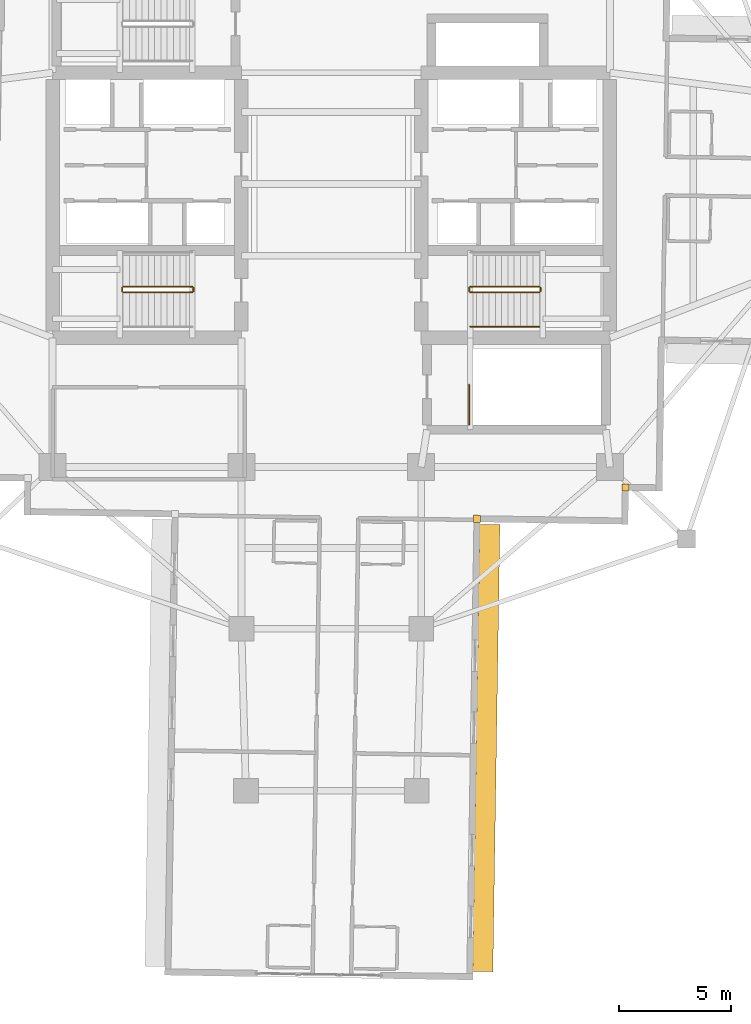
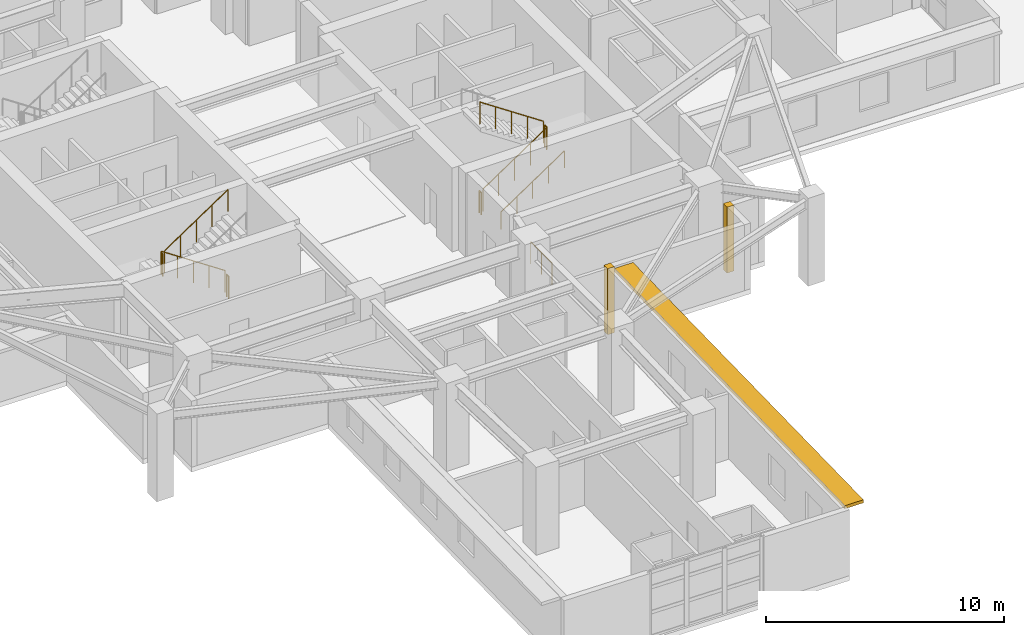
# One storey, part 19 of 22: 10 railings, 2 coverings, 1 shading device.
"""IFC4 building model written with IfcOpenShell, lengths in metres."""

from ifc_helpers import new_model, si_unit, direction, frame, origin, origin_2d, place, context, subcontext, project, spatial, rectangle, circle, extrude, material, layer, layer_set, type_object, element, save


model = new_model("IFC4")

# Units and contexts
model_context = context("Model", 3, precision=1e-05, world=origin(), true_north=direction((0.0, 1.0)))
body_context = subcontext(model_context, "Body", "Model", "MODEL_VIEW")
ifc_project = project(units=[si_unit("LENGTHUNIT", "METRE"), si_unit("AREAUNIT", "SQUARE_METRE"), si_unit("VOLUMEUNIT", "CUBIC_METRE"), si_unit("PLANEANGLEUNIT", "RADIAN"), si_unit("MASSUNIT", "GRAM", prefix="KILO")], contexts=[model_context])

# Site, building, storey
site_placement = place(None, origin())
site = spatial("IfcSite", under=ifc_project, at=site_placement, CompositionType="ELEMENT")
building_placement = place(site_placement, origin())
building = spatial("IfcBuilding", under=site, at=building_placement, Name="Qingluan Cross Belvedere", CompositionType="ELEMENT")
storey_placement = place(building_placement, frame((0.0, 0.0, 100.199951171875)))
storey = spatial("IfcBuildingStorey", under=building, at=storey_placement, Name="L25", CompositionType="ELEMENT", Elevation=100.199951171875)

# Coverings
ifc_material_1 = material(Name="Precast concrete C45", Category="concrete")
ifc_layer_1 = layer(ifc_material_1, 0.1201171875, Name="ConcreteSpandrelCladding_120")
ifc_layer_set_1 = layer_set([ifc_layer_1], Name="Precast concrete C45")
covering_type = type_object("IfcCoveringType", Name="ConcreteSpandrelCladding_120", PredefinedType="CLADDING", material=ifc_layer_set_1)
for number, where, z_axis, x_axis, name in (
    (1, (13.089599609375, -13.50732421875, 0.0), (0.0, 0.0, 1.0), (0.999876632482, -0.015707317312, 0.0), "Corner closure L25-SE1"),
    (2, (6.48681640625, -14.90380859375, 0.0), (0.0, 0.0, 1.0), (0.999876632482, -0.015707317312, 0.0), "Corner closure L25-SE2"),
):
    element("IfcCovering", number, at=place(storey_placement, frame(where, z_axis=z_axis, x_axis=x_axis)), inside=storey, type_object=covering_type, Name=name, PredefinedType="CLADDING", context=body_context, shape_type="SweptSolid", body=[
        extrude(rectangle(XDim=0.320068359375, YDim=0.320068359375, at=origin_2d()), origin(), (0.0, 0.0, 1.0), 3.3798828125),
    ])

# Shading device
ifc_material_2 = material(Name="Precast concrete C45", Category="concrete")
ifc_layer_2 = layer(ifc_material_2, 0.159912109375, Name="ConcreteSunshadeBand_900")
ifc_layer_set_2 = layer_set([ifc_layer_2], Name="Precast concrete C45")
shading_device_type = type_object("IfcShadingDeviceType", Name="ConcreteSunshadeBand_900", PredefinedType="USERDEFINED", material=ifc_layer_set_2)
shading_device_placement = place(storey_placement, frame((6.896484375, -25.101318359375, 3.2001953125), z_axis=(0.0, 0.0, 1.0), x_axis=(0.015706483741, 0.999876645576, 0.0)))
element("IfcShadingDevice", 3, at=shading_device_placement, inside=storey, type_object=shading_device_type, Name="Concrete SUNSHADE L25-SB", ObjectType="SUNSHADE", PredefinedType="USERDEFINED", context=body_context, shape_type="SweptSolid", body=[
    extrude(rectangle(XDim=19.89990234375, YDim=0.89990234375, at=origin_2d()), origin(), (0.0, 0.0, 1.0), 0.159912109375),
])

# Railings
ifc_material_3 = material(Name="Brushed stainless steel tubular handrail", Category="steel")
railing_type_1 = type_object("IfcRailingType", Name="StairPitchHandrail_900", PredefinedType="HANDRAIL", material=ifc_material_3)
railing_1_placement = place(storey_placement, frame((6.179931640625, -6.35009765625, 0.1875)))
element("IfcRailing", 4, at=railing_1_placement, inside=storey, type_object=railing_type_1, Name="L25 ST2 stair handrail 1", PredefinedType="HANDRAIL", context=body_context, shape_type="SweptSolid", body=[
    extrude(circle(Radius=0.02392578125, at=origin_2d()), frame((0.0, 0.0, 0.8759765625), z_axis=(0.830913701846, 0.0, 0.55640131208), x_axis=(0.0, 1.0, 0.0)), (0.0, 0.0, 1.0), 3.706787109375),
    extrude(circle(Radius=0.02099609375, at=origin_2d()), origin(), (0.0, 0.0, 1.0), 0.851806640625),
    extrude(circle(Radius=0.02099609375, at=origin_2d()), frame((0.77001953125, 0.0, 0.515625)), (0.0, 0.0, 1.0), 0.851806640625),
    extrude(circle(Radius=0.02099609375, at=origin_2d()), frame((1.5400390625, 0.0, 1.03125)), (0.0, 0.0, 1.0), 0.851806640625),
    extrude(circle(Radius=0.02099609375, at=origin_2d()), frame((2.31005859375, 0.0, 1.546875)), (0.0, 0.0, 1.0), 0.851806640625),
    extrude(circle(Radius=0.02099609375, at=origin_2d()), frame((3.080078125, 0.0, 2.0625)), (0.0, 0.0, 1.0), 0.851806640625),
])
ifc_material_4 = material(Name="Painted steel stair well guard", Category="steel")
railing_type_2 = type_object("IfcRailingType", Name="StairWellGuard_1150", PredefinedType="BALUSTRADE", material=ifc_material_4)
railing_2_placement = place(storey_placement, frame((-6.179931640625, -4.570068359375, 0.1875)))
element("IfcRailing", 5, at=railing_2_placement, inside=storey, type_object=railing_type_2, Name="L25 ST1 stair guard 1", PredefinedType="BALUSTRADE", context=body_context, shape_type="SweptSolid", body=[
    extrude(circle(Radius=0.02392578125, at=origin_2d()), frame((0.0, 0.0, 1.1259765625), z_axis=(-0.830913701846, 0.0, 0.55640131208), x_axis=(0.0, -1.0, 0.0)), (0.0, 0.0, 1.0), 3.706787109375),
    extrude(circle(Radius=0.02099609375, at=origin_2d()), origin(), (0.0, 0.0, 1.0), 1.101806640625),
    extrude(circle(Radius=0.02099609375, at=origin_2d()), frame((-0.77001953125, 0.0, 0.515625)), (0.0, 0.0, 1.0), 1.101806640625),
    extrude(circle(Radius=0.02099609375, at=origin_2d()), frame((-1.5400390625, 0.0, 1.03125)), (0.0, 0.0, 1.0), 1.101806640625),
    extrude(circle(Radius=0.02099609375, at=origin_2d()), frame((-2.31005859375, 0.0, 1.546875)), (0.0, 0.0, 1.0), 1.101806640625),
    extrude(circle(Radius=0.02099609375, at=origin_2d()), frame((-3.080078125, 0.0, 2.0625)), (0.0, 0.0, 1.0), 1.101806640625),
])
railing_3_placement = place(storey_placement, frame((-9.31005859375, -4.6201171875, 2.25)))
element("IfcRailing", 6, at=railing_3_placement, inside=storey, type_object=railing_type_2, Name="L25 ST1 stair guard 2", PredefinedType="BALUSTRADE", context=body_context, shape_type="SweptSolid", body=[
    extrude(circle(Radius=0.02392578125, at=origin_2d()), frame((0.0, 0.0, 1.1259765625), z_axis=(0.0, -1.0, 0.0), x_axis=(1.0, 0.0, 0.0)), (0.0, 0.0, 1.0), 0.159912109375),
    extrude(circle(Radius=0.02099609375, at=origin_2d()), origin(), (0.0, 0.0, 1.0), 1.101806640625),
    extrude(circle(Radius=0.02099609375, at=origin_2d()), frame((0.0, -0.159912109375, 0.0)), (0.0, 0.0, 1.0), 1.101806640625),
])
railing_4_placement = place(storey_placement, frame((-9.260009765625, -4.830078125, 2.4375)))
element("IfcRailing", 7, at=railing_4_placement, inside=storey, type_object=railing_type_2, Name="L25 ST1 stair guard 3", PredefinedType="BALUSTRADE", context=body_context, shape_type="SweptSolid", body=[
    extrude(circle(Radius=0.02392578125, at=origin_2d()), frame((0.0, 0.0, 1.1259765625), z_axis=(0.830913701846, 0.0, 0.55640131208), x_axis=(0.0, 1.0, 0.0)), (0.0, 0.0, 1.0), 3.706787109375),
    extrude(circle(Radius=0.02099609375, at=origin_2d()), origin(), (0.0, 0.0, 1.0), 1.101806640625),
    extrude(circle(Radius=0.02099609375, at=origin_2d()), frame((0.77001953125, 0.0, 0.515625)), (0.0, 0.0, 1.0), 1.101806640625),
    extrude(circle(Radius=0.02099609375, at=origin_2d()), frame((1.5400390625, 0.0, 1.03125)), (0.0, 0.0, 1.0), 1.101806640625),
    extrude(circle(Radius=0.02099609375, at=origin_2d()), frame((2.31005859375, 0.0, 1.546875)), (0.0, 0.0, 1.0), 1.101806640625),
    extrude(circle(Radius=0.02099609375, at=origin_2d()), frame((3.080078125, 0.0, 2.0625)), (0.0, 0.0, 1.0), 1.101806640625),
])
railing_5_placement = place(storey_placement, frame((-6.1298828125, -4.6201171875, 0.0)))
element("IfcRailing", 8, at=railing_5_placement, inside=storey, type_object=railing_type_2, Name="L25 ST1 stair guard 4", PredefinedType="BALUSTRADE", context=body_context, shape_type="SweptSolid", body=[
    extrude(circle(Radius=0.02392578125, at=origin_2d()), frame((0.0, 0.0, 1.1259765625), z_axis=(0.0, -1.0, 0.0), x_axis=(1.0, 0.0, 0.0)), (0.0, 0.0, 1.0), 0.159912109375),
    extrude(circle(Radius=0.02099609375, at=origin_2d()), origin(), (0.0, 0.0, 1.0), 1.101806640625),
    extrude(circle(Radius=0.02099609375, at=origin_2d()), frame((0.0, -0.159912109375, 0.0)), (0.0, 0.0, 1.0), 1.101806640625),
])
railing_6_placement = place(storey_placement, frame((6.179931640625, -4.830078125, 0.1875)))
element("IfcRailing", 9, at=railing_6_placement, inside=storey, type_object=railing_type_2, Name="L25 ST2 stair guard 1", PredefinedType="BALUSTRADE", context=body_context, shape_type="SweptSolid", body=[
    extrude(circle(Radius=0.02392578125, at=origin_2d()), frame((0.0, 0.0, 1.1259765625), z_axis=(0.830913701846, 0.0, 0.55640131208), x_axis=(0.0, 1.0, 0.0)), (0.0, 0.0, 1.0), 3.706787109375),
    extrude(circle(Radius=0.02099609375, at=origin_2d()), origin(), (0.0, 0.0, 1.0), 1.101806640625),
    extrude(circle(Radius=0.02099609375, at=origin_2d()), frame((0.77001953125, 0.0, 0.515625)), (0.0, 0.0, 1.0), 1.101806640625),
    extrude(circle(Radius=0.02099609375, at=origin_2d()), frame((1.5400390625, 0.0, 1.03125)), (0.0, 0.0, 1.0), 1.101806640625),
    extrude(circle(Radius=0.02099609375, at=origin_2d()), frame((2.31005859375, 0.0, 1.546875)), (0.0, 0.0, 1.0), 1.101806640625),
    extrude(circle(Radius=0.02099609375, at=origin_2d()), frame((3.080078125, 0.0, 2.0625)), (0.0, 0.0, 1.0), 1.101806640625),
])
railing_7_placement = place(storey_placement, frame((9.31005859375, -4.780029296875, 2.25)))
element("IfcRailing", 10, at=railing_7_placement, inside=storey, type_object=railing_type_2, Name="L25 ST2 stair guard 2", PredefinedType="BALUSTRADE", context=body_context, shape_type="SweptSolid", body=[
    extrude(circle(Radius=0.02392578125, at=origin_2d()), frame((0.0, 0.0, 1.1259765625), z_axis=(0.0, 1.0, 0.0), x_axis=(-1.0, 0.0, 0.0)), (0.0, 0.0, 1.0), 0.159912109375),
    extrude(circle(Radius=0.02099609375, at=origin_2d()), origin(), (0.0, 0.0, 1.0), 1.101806640625),
    extrude(circle(Radius=0.02099609375, at=origin_2d()), frame((0.0, 0.159912109375, 0.0)), (0.0, 0.0, 1.0), 1.101806640625),
])
railing_8_placement = place(storey_placement, frame((9.260009765625, -4.570068359375, 2.4375)))
element("IfcRailing", 11, at=railing_8_placement, inside=storey, type_object=railing_type_2, Name="L25 ST2 stair guard 3", PredefinedType="BALUSTRADE", context=body_context, shape_type="SweptSolid", body=[
    extrude(circle(Radius=0.02392578125, at=origin_2d()), frame((0.0, 0.0, 1.1259765625), z_axis=(-0.830913701846, 0.0, 0.55640131208), x_axis=(0.0, -1.0, 0.0)), (0.0, 0.0, 1.0), 3.706787109375),
    extrude(circle(Radius=0.02099609375, at=origin_2d()), origin(), (0.0, 0.0, 1.0), 1.101806640625),
    extrude(circle(Radius=0.02099609375, at=origin_2d()), frame((-0.77001953125, 0.0, 0.515625)), (0.0, 0.0, 1.0), 1.101806640625),
    extrude(circle(Radius=0.02099609375, at=origin_2d()), frame((-1.5400390625, 0.0, 1.03125)), (0.0, 0.0, 1.0), 1.101806640625),
    extrude(circle(Radius=0.02099609375, at=origin_2d()), frame((-2.31005859375, 0.0, 1.546875)), (0.0, 0.0, 1.0), 1.101806640625),
    extrude(circle(Radius=0.02099609375, at=origin_2d()), frame((-3.080078125, 0.0, 2.0625)), (0.0, 0.0, 1.0), 1.101806640625),
])
railing_9_placement = place(storey_placement, frame((6.1298828125, -4.780029296875, 0.0)))
element("IfcRailing", 12, at=railing_9_placement, inside=storey, type_object=railing_type_2, Name="L25 ST2 stair guard 4", PredefinedType="BALUSTRADE", context=body_context, shape_type="SweptSolid", body=[
    extrude(circle(Radius=0.02392578125, at=origin_2d()), frame((0.0, 0.0, 1.1259765625), z_axis=(0.0, 1.0, 0.0), x_axis=(-1.0, 0.0, 0.0)), (0.0, 0.0, 1.0), 0.159912109375),
    extrude(circle(Radius=0.02099609375, at=origin_2d()), origin(), (0.0, 0.0, 1.0), 1.101806640625),
    extrude(circle(Radius=0.02099609375, at=origin_2d()), frame((0.0, 0.159912109375, 0.0)), (0.0, 0.0, 1.0), 1.101806640625),
])
railing_10_placement = place(storey_placement, frame((6.1298828125, -10.719970703125, 0.0)))
element("IfcRailing", 13, at=railing_10_placement, inside=storey, type_object=railing_type_2, Name="L25 ST4 top well guard 1", PredefinedType="BALUSTRADE", context=body_context, shape_type="SweptSolid", body=[
    extrude(circle(Radius=0.02392578125, at=origin_2d()), frame((0.0, 0.0, 1.1259765625), z_axis=(0.0, 1.0, 0.0), x_axis=(-1.0, 0.0, 0.0)), (0.0, 0.0, 1.0), 1.780029296875),
    extrude(circle(Radius=0.02099609375, at=origin_2d()), origin(), (0.0, 0.0, 1.0), 1.101806640625),
    extrude(circle(Radius=0.02099609375, at=origin_2d()), frame((0.0, 0.89013671875, 0.0)), (0.0, 0.0, 1.0), 1.101806640625),
    extrude(circle(Radius=0.02099609375, at=origin_2d()), frame((0.0, 1.780029296875, 0.0)), (0.0, 0.0, 1.0), 1.101806640625),
])

save(model, "model.ifc")
